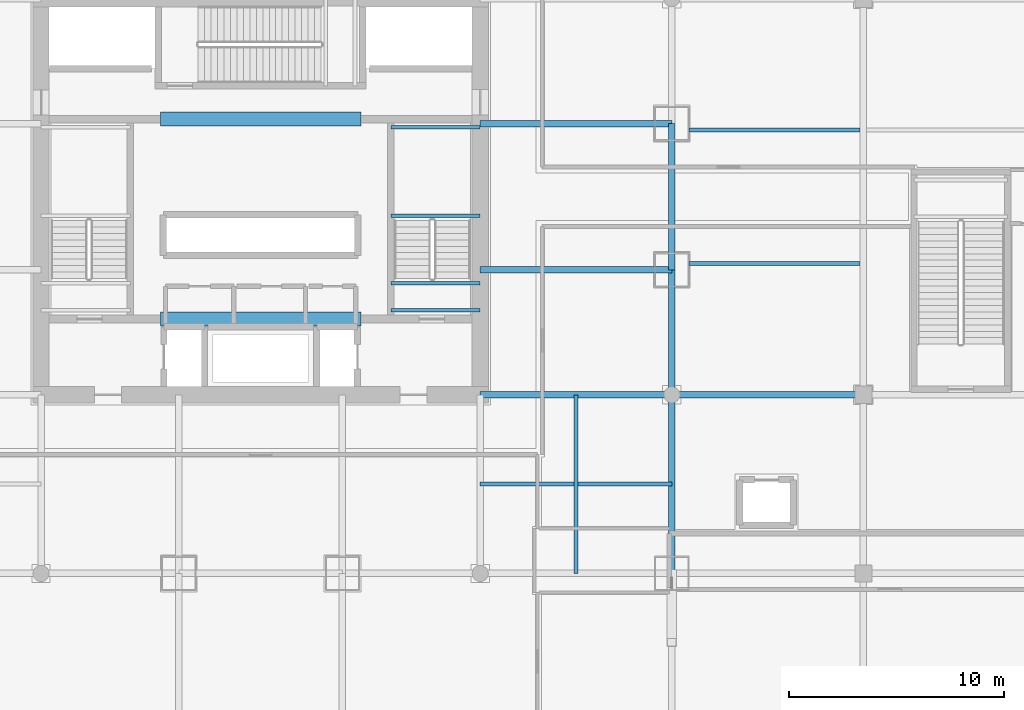
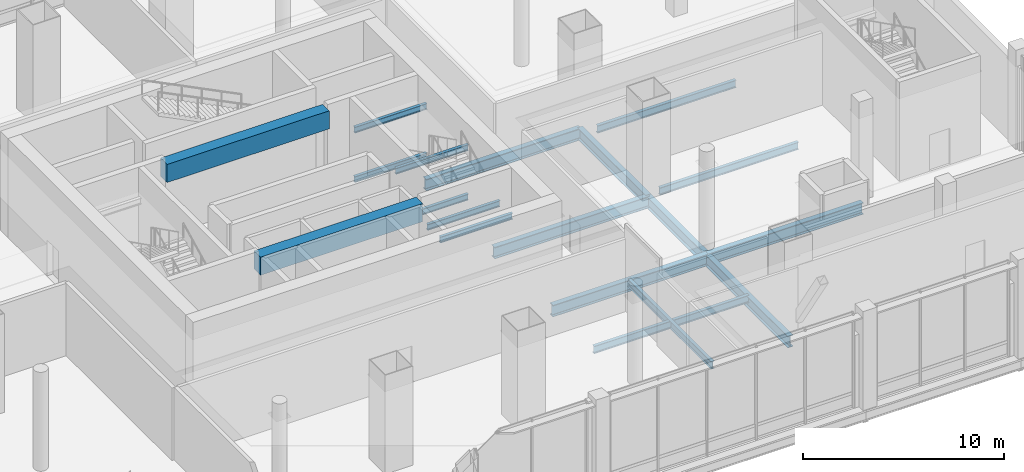
# One storey, part 9 of 38: 18 beams.
"""IFC4 building model written with IfcOpenShell, lengths in metres."""

from ifc_helpers import new_model, si_unit, direction, frame, origin, origin_2d, place, context, subcontext, project, spatial, rectangle, i_section, extrude, material, material_profile, profile_set, type_object, element, save


model = new_model("IFC4")

# Units and contexts
model_context = context("Model", 3, precision=1e-05, world=origin(), true_north=direction((0.0, 1.0)))
body_context = subcontext(model_context, "Body", "Model", "MODEL_VIEW")
ifc_project = project(units=[si_unit("LENGTHUNIT", "METRE"), si_unit("AREAUNIT", "SQUARE_METRE"), si_unit("VOLUMEUNIT", "CUBIC_METRE"), si_unit("PLANEANGLEUNIT", "RADIAN"), si_unit("MASSUNIT", "GRAM", prefix="KILO")], contexts=[model_context])

# Site, building, storey
site_placement = place(None, origin())
site = spatial("IfcSite", under=ifc_project, at=site_placement, CompositionType="ELEMENT")
building_placement = place(site_placement, origin())
building = spatial("IfcBuilding", under=site, at=building_placement, Name="Punatoya Terracotta Tower", CompositionType="ELEMENT")
storey_placement = place(building_placement, frame((0.0, 0.0, 22.199951171875)))
storey = spatial("IfcBuildingStorey", under=building, at=storey_placement, Name="L04", CompositionType="ELEMENT", Elevation=22.199951171875)

# Beams
ifc_material_1 = material(Name="Steel S355", Category="steel")
ifc_material_profile_1 = material_profile(ifc_material_1, i_section(OverallWidth=0.300048828125, OverallDepth=0.699951171875, WebThickness=0.01708984375, FlangeThickness=0.031982421875, FilletRadius=0.01806640625, at=origin_2d()))
ifc_profile_set_1 = profile_set([ifc_material_profile_1], Name="Steel S355")
beam_type_1 = type_object("IfcBeamType", Name="BM-PRI-700", PredefinedType="BEAM", material=ifc_profile_set_1)
beam_1_placement = place(storey_placement, frame((19.10009765625, -17.5, -0.72998046875), z_axis=(0.0, 1.0, 0.0), x_axis=(-1.0, 0.0, 0.0)))
element("IfcBeam", 1, at=beam_1_placement, inside=storey, type_object=beam_type_1, Name="BM-L04-RG-E1", PredefinedType="BEAM", context=body_context, shape_type="SweptSolid", body=[
    extrude(i_section(OverallWidth=0.300048828125, OverallDepth=0.699951171875, WebThickness=0.01708984375, FlangeThickness=0.031982421875, FilletRadius=0.01806640625, at=origin_2d()), origin(), (0.0, 0.0, 1.0), 14.10009765625),
])
beam_2_placement = place(storey_placement, frame((19.10009765625, -3.39990234375, -0.72998046875), z_axis=(0.0, 1.0, 0.0), x_axis=(-1.0, 0.0, 0.0)))
element("IfcBeam", 2, at=beam_2_placement, inside=storey, type_object=beam_type_1, Name="BM-L04-RG-E2", PredefinedType="BEAM", context=body_context, shape_type="SweptSolid", body=[
    extrude(i_section(OverallWidth=0.300048828125, OverallDepth=0.699951171875, WebThickness=0.01708984375, FlangeThickness=0.031982421875, FilletRadius=0.01806640625, at=origin_2d()), origin(), (0.0, 0.0, 1.0), 6.7998046875),
])
for number, where, z_axis, x_axis, name in (
    (3, (10.199951171875, -9.199951171875, -0.72998046875), (1.0, 0.0, 0.0), (0.0, 1.0, 0.0), "BM-L04-PR-ES"),
    (4, (10.199951171875, -3.39990234375, -0.72998046875), (1.0, 0.0, 0.0), (0.0, 1.0, 0.0), "BM-L04-PR-ED"),
    (5, (10.199951171875, 3.39990234375, -0.72998046875), (1.0, 0.0, 0.0), (0.0, 1.0, 0.0), "BM-L04-PR-EE"),
):
    element("IfcBeam", number, at=place(storey_placement, frame(where, z_axis=z_axis, x_axis=x_axis)), inside=storey, type_object=beam_type_1, Name=name, PredefinedType="BEAM", context=body_context, shape_type="SweptSolid", body=[
        extrude(i_section(OverallWidth=0.300048828125, OverallDepth=0.699951171875, WebThickness=0.01708984375, FlangeThickness=0.031982421875, FilletRadius=0.01806640625, at=origin_2d()), origin(), (0.0, 0.0, 1.0), 8.900146484375),
    ])
beam_3_placement = place(storey_placement, frame((19.10009765625, -9.199951171875, -0.72998046875), z_axis=(1.0, 0.0, 0.0), x_axis=(0.0, 1.0, 0.0)))
element("IfcBeam", 6, at=beam_3_placement, inside=storey, type_object=beam_type_1, Name="BM-L04-CE1", PredefinedType="BEAM", context=body_context, shape_type="SweptSolid", body=[
    extrude(i_section(OverallWidth=0.300048828125, OverallDepth=0.699951171875, WebThickness=0.01708984375, FlangeThickness=0.031982421875, FilletRadius=0.01806640625, at=origin_2d()), origin(), (0.0, 0.0, 1.0), 8.89990234375),
])
ifc_material_2 = material(Name="Concrete C60/75", Category="concrete")
ifc_material_profile_2 = material_profile(ifc_material_2, rectangle(XDim=0.64990234375, YDim=1.10009765625, at=origin_2d()))
ifc_profile_set_2 = profile_set([ifc_material_profile_2], Name="Concrete C60/75")
beam_type_2 = type_object("IfcBeamType", Name="BM-RC-1100", PredefinedType="LINTEL", material=ifc_profile_set_2)
for number, where, z_axis, x_axis, name in (
    (7, (-4.64990234375, -5.679931640625, 5.170166015625), (1.0, 0.0, 0.0), (0.0, 1.0, 0.0), "L04 Core Coupling Lintel CSW"),
    (8, (-4.64990234375, 3.60009765625, 5.170166015625), (1.0, 0.0, 0.0), (0.0, 1.0, 0.0), "L04 Core Coupling Lintel CNW"),
):
    element("IfcBeam", number, at=place(storey_placement, frame(where, z_axis=z_axis, x_axis=x_axis)), inside=storey, type_object=beam_type_2, Name=name, PredefinedType="LINTEL", context=body_context, shape_type="SweptSolid", body=[
        extrude(rectangle(XDim=0.64990234375, YDim=1.10009765625, at=origin_2d()), origin(), (0.0, 0.0, 1.0), 9.2998046875),
    ])
ifc_material_profile_3 = material_profile(ifc_material_1, i_section(OverallWidth=0.169921875, OverallDepth=0.360107421875, WebThickness=0.008056640625, FlangeThickness=0.0126953125, FilletRadius=0.01806640625, at=origin_2d()))
ifc_profile_set_3 = profile_set([ifc_material_profile_3], Name="Steel S355")
beam_type_3 = type_object("IfcBeamType", Name="BM-SEC-360", PredefinedType="JOIST", material=ifc_profile_set_3)
for number, where, z_axis, x_axis, name in (
    (9, (6.050048828125, -0.8798828125, 1.1201171875), (1.0, 0.0, 0.0), (0.0, 1.0, 0.0), "BM-L04-ST-2-LD1A"),
    (10, (6.050048828125, 3.22998046875, 1.1201171875), (1.0, 0.0, 0.0), (0.0, 1.0, 0.0), "BM-L04-ST-2-LD1B"),
    (11, (6.050048828125, -5.280029296875, 2.6201171875), (1.0, 0.0, 0.0), (0.0, 1.0, 0.0), "BM-L04-ST-2-LD2A"),
    (12, (6.050048828125, -4.02001953125, 2.6201171875), (1.0, 0.0, 0.0), (0.0, 1.0, 0.0), "BM-L04-ST-2-LD2B"),
    (13, (6.050048828125, -0.8798828125, 4.1201171875), (1.0, 0.0, 0.0), (0.0, 1.0, 0.0), "BM-L04-ST-2-LD3A"),
    (14, (6.050048828125, 3.22998046875, 4.1201171875), (1.0, 0.0, 0.0), (0.0, 1.0, 0.0), "BM-L04-ST-2-LD3B"),
):
    element("IfcBeam", number, at=place(storey_placement, frame(where, z_axis=z_axis, x_axis=x_axis)), inside=storey, type_object=beam_type_3, Name=name, PredefinedType="JOIST", context=body_context, shape_type="SweptSolid", body=[
        extrude(i_section(OverallWidth=0.169921875, OverallDepth=0.360107421875, WebThickness=0.008056640625, FlangeThickness=0.0126953125, FilletRadius=0.01806640625, at=origin_2d()), origin(), (0.0, 0.0, 1.0), 4.14990234375),
    ])
ifc_material_profile_4 = material_profile(ifc_material_1, i_section(OverallWidth=0.18994140625, OverallDepth=0.449951171875, WebThickness=0.009521484375, FlangeThickness=0.0146484375, FilletRadius=0.01806640625, at=origin_2d()))
ifc_profile_set_4 = profile_set([ifc_material_profile_4], Name="Steel S355")
beam_type_4 = type_object("IfcBeamType", Name="BM-SEC-450", PredefinedType="JOIST", material=ifc_profile_set_4)
beam_4_placement = place(storey_placement, frame((10.199951171875, -13.35009765625, -0.60498046875), z_axis=(1.0, 0.0, 0.0), x_axis=(0.0, 1.0, 0.0)))
element("IfcBeam", 15, at=beam_4_placement, inside=storey, type_object=beam_type_4, Name="BM-L04-SJS-2", PredefinedType="JOIST", context=body_context, shape_type="SweptSolid", body=[
    extrude(i_section(OverallWidth=0.18994140625, OverallDepth=0.449951171875, WebThickness=0.009521484375, FlangeThickness=0.0146484375, FilletRadius=0.01806640625, at=origin_2d()), origin(), (0.0, 0.0, 1.0), 8.900146484375),
])
beam_5_placement = place(storey_placement, frame((14.64990234375, -17.5, -0.60498046875), z_axis=(0.0, 1.0, 0.0), x_axis=(-1.0, 0.0, 0.0)))
element("IfcBeam", 16, at=beam_5_placement, inside=storey, type_object=beam_type_4, Name="BM-L04-SJE-1", PredefinedType="JOIST", context=body_context, shape_type="SweptSolid", body=[
    extrude(i_section(OverallWidth=0.18994140625, OverallDepth=0.449951171875, WebThickness=0.009521484375, FlangeThickness=0.0146484375, FilletRadius=0.01806640625, at=origin_2d()), origin(), (0.0, 0.0, 1.0), 8.300048828125),
])
for number, where, z_axis, x_axis, name in (
    (17, (19.89990234375, -3.10009765625, -0.60498046875), (1.0, 0.0, 0.0), (0.0, 1.0, 0.0), "BM-L04-WNGJ-E1--31"),
    (18, (19.89990234375, 3.10009765625, -0.60498046875), (1.0, 0.0, 0.0), (0.0, 1.0, 0.0), "BM-L04-WNGJ-E1-31"),
):
    element("IfcBeam", number, at=place(storey_placement, frame(where, z_axis=z_axis, x_axis=x_axis)), inside=storey, type_object=beam_type_4, Name=name, PredefinedType="JOIST", context=body_context, shape_type="SweptSolid", body=[
        extrude(i_section(OverallWidth=0.18994140625, OverallDepth=0.449951171875, WebThickness=0.009521484375, FlangeThickness=0.0146484375, FilletRadius=0.01806640625, at=origin_2d()), origin(), (0.0, 0.0, 1.0), 7.9501953125),
    ])

save(model, "model.ifc")
